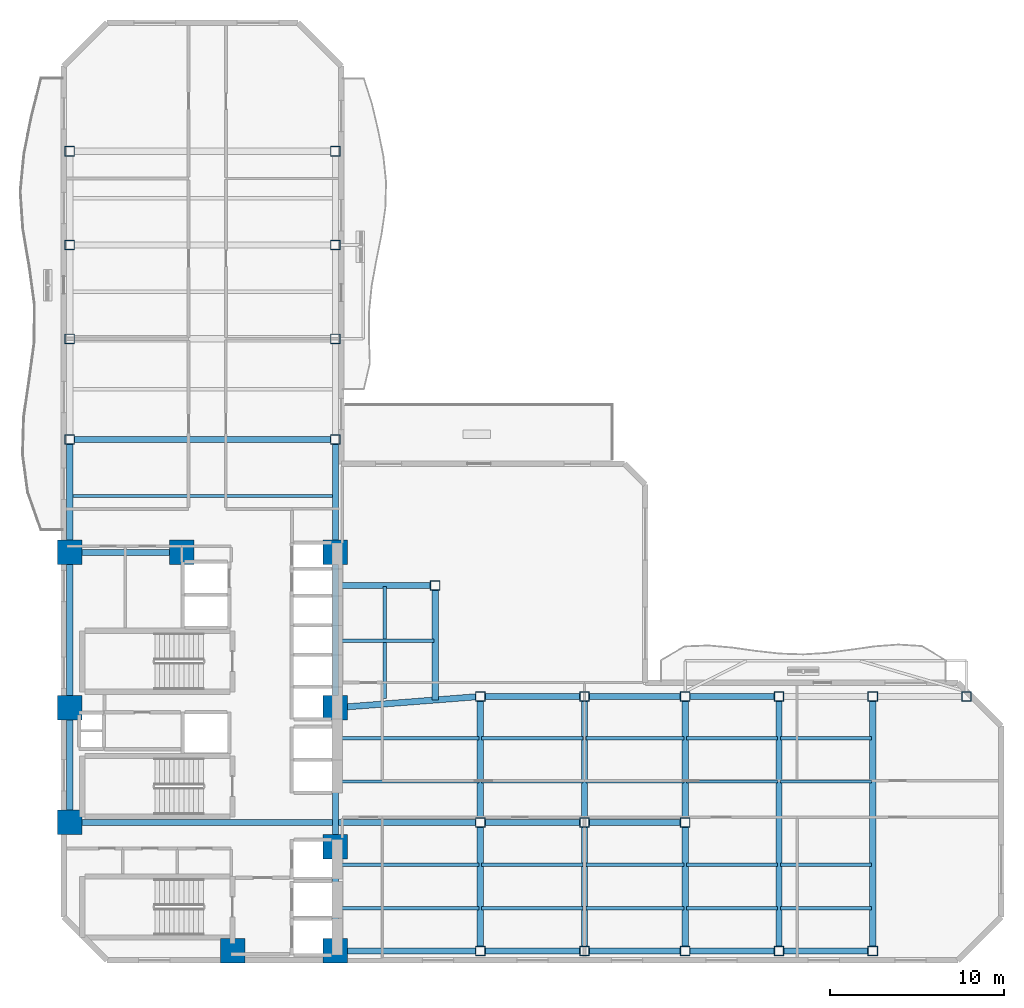
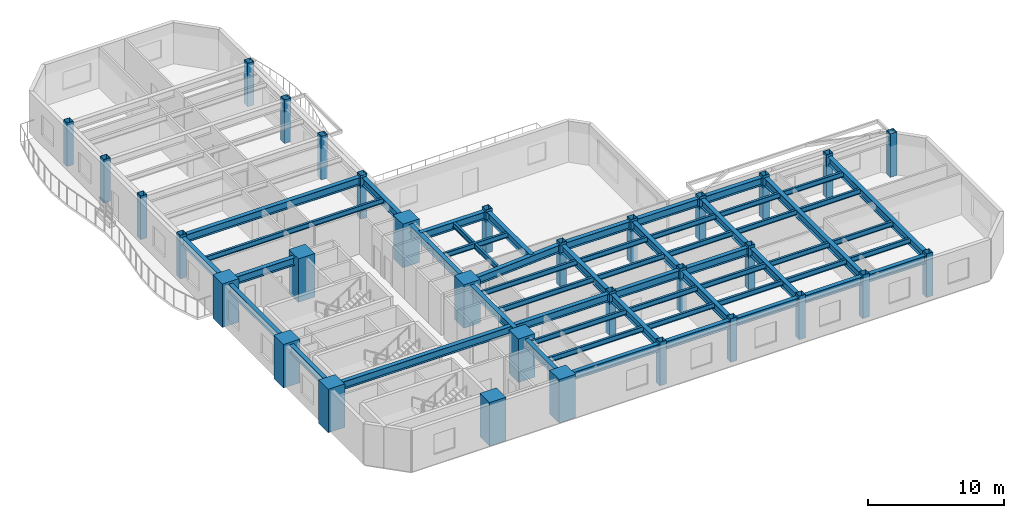
# One storey, part 1 of 10: 54 beams, 32 columns.
"""IFC4 building model written with IfcOpenShell, lengths in metres."""

from ifc_helpers import new_model, si_unit, direction, frame, origin, origin_2d, place, context, subcontext, project, spatial, rectangle, hollow_rectangle, i_section, extrude, material, material_profile, profile_set, type_object, element, save


model = new_model("IFC4")

# Units and contexts
model_context = context("Model", 3, precision=1e-05, world=origin(), true_north=direction((0.0, 1.0)))
body_context = subcontext(model_context, "Body", "Model", "MODEL_VIEW")
ifc_project = project(units=[si_unit("LENGTHUNIT", "METRE"), si_unit("AREAUNIT", "SQUARE_METRE"), si_unit("VOLUMEUNIT", "CUBIC_METRE"), si_unit("PLANEANGLEUNIT", "RADIAN"), si_unit("MASSUNIT", "GRAM", prefix="KILO")], contexts=[model_context])

# Site, building, storey
site_placement = place(None, origin())
site = spatial("IfcSite", under=ifc_project, at=site_placement, CompositionType="ELEMENT")
building_placement = place(site_placement, origin())
building = spatial("IfcBuilding", under=site, at=building_placement, Name="Mawjaban Terraces University", CompositionType="ELEMENT")
storey_placement = place(building_placement, frame((0.0, 0.0, 31.0)))
storey = spatial("IfcBuildingStorey", under=building, at=storey_placement, Name="L06", CompositionType="ELEMENT", Elevation=31.0)

# Columns
ifc_material_1 = material(Name="Concrete C70/85", Category="concrete")
ifc_material_profile_1 = material_profile(ifc_material_1, rectangle(XDim=1.39990234375, YDim=1.39990234375, at=origin_2d()), Name="RC1400X1400")
ifc_profile_set_1 = profile_set([ifc_material_profile_1], Name="Concrete C70/85")
column_type_1 = type_object("IfcColumnType", Name="Col_RC1400X1400", PredefinedType="COLUMN", material=ifc_profile_set_1)
for number, where, z_axis, x_axis, name in (
    (1, (31.75, 0.550048828125, 0.0), (0.0, 0.0, 1.0), (1.0, 0.0, 0.0), "L06 Column CC2"),
    (2, (37.64990234375, 0.550048828125, 0.0), (0.0, 0.0, 1.0), (1.0, 0.0, 0.0), "L06 Column CC3"),
    (3, (22.35009765625, 7.949951171875, 0.0), (0.0, 0.0, 1.0), (1.0, 0.0, 0.0), "L06 Column CC4"),
    (4, (37.64990234375, 6.550048828125, 0.0), (0.0, 0.0, 1.0), (1.0, 0.0, 0.0), "L06 Column CC5"),
    (5, (22.35009765625, 14.550048828125, 0.0), (0.0, 0.0, 1.0), (1.0, 0.0, 0.0), "L06 Column CC6"),
    (6, (37.64990234375, 14.550048828125, 0.0), (0.0, 0.0, 1.0), (1.0, 0.0, 0.0), "L06 Column CC7"),
    (7, (22.35009765625, 23.5, 0.0), (0.0, 0.0, 1.0), (1.0, 0.0, 0.0), "L06 Column CC8"),
    (8, (28.800048828125, 23.5, 0.0), (0.0, 0.0, 1.0), (1.0, 0.0, 0.0), "L06 Column CC9"),
    (9, (37.64990234375, 23.5, 0.0), (0.0, 0.0, 1.0), (1.0, 0.0, 0.0), "L06 Column CC10"),
):
    element("IfcColumn", number, at=place(storey_placement, frame(where, z_axis=z_axis, x_axis=x_axis)), inside=storey, type_object=column_type_1, Name=name, PredefinedType="COLUMN", context=body_context, shape_type="SweptSolid", body=[
        extrude(rectangle(XDim=1.39990234375, YDim=1.39990234375, at=origin_2d()), origin(), (0.0, 0.0, 1.0), 3.89990234375),
    ])
ifc_material_2 = material(Name="Steel EN 10210-1 S355J2H", Category="steel")
ifc_material_profile_2 = material_profile(ifc_material_2, hollow_rectangle(XDim=0.550048828125, YDim=0.550048828125, WallThickness=0.02490234375, at=origin_2d()), Name="SHS550X550X25")
ifc_profile_set_2 = profile_set([ifc_material_profile_2], Name="Steel EN 10210-1 S355J2H")
column_type_2 = type_object("IfcColumnType", Name="Col_SHS550X550X25", PredefinedType="COLUMN", material=ifc_profile_set_2)
for number, where, z_axis, x_axis, name in (
    (10, (46.0, 0.550048828125, 0.0), (0.0, 0.0, 1.0), (1.0, 0.0, 0.0), "L06 Column TE-460-005"),
    (11, (46.0, 7.949951171875, 0.0), (0.0, 0.0, 1.0), (1.0, 0.0, 0.0), "L06 Column TE-460-080"),
    (12, (46.0, 15.199951171875, 0.0), (0.0, 0.0, 1.0), (1.0, 0.0, 0.0), "L06 Column TE-460-152"),
    (13, (52.0, 0.550048828125, 0.0), (0.0, 0.0, 1.0), (1.0, 0.0, 0.0), "L06 Column TE-520-005"),
    (14, (52.0, 7.949951171875, 0.0), (0.0, 0.0, 1.0), (1.0, 0.0, 0.0), "L06 Column TE-520-080"),
    (15, (52.0, 15.199951171875, 0.0), (0.0, 0.0, 1.0), (1.0, 0.0, 0.0), "L06 Column TE-520-152"),
    (16, (57.800048828125, 0.550048828125, 0.0), (0.0, 0.0, 1.0), (1.0, 0.0, 0.0), "L06 Column TE-578-005"),
    (17, (57.800048828125, 7.949951171875, 0.0), (0.0, 0.0, 1.0), (1.0, 0.0, 0.0), "L06 Column TE-578-080"),
    (18, (57.800048828125, 15.199951171875, 0.0), (0.0, 0.0, 1.0), (1.0, 0.0, 0.0), "L06 Column TE-578-152"),
    (19, (63.199951171875, 0.550048828125, 0.0), (0.0, 0.0, 1.0), (1.0, 0.0, 0.0), "L06 Column TE-632-005"),
    (20, (63.199951171875, 15.199951171875, 0.0), (0.0, 0.0, 1.0), (1.0, 0.0, 0.0), "L06 Column TE-632-152"),
    (21, (68.60009765625, 0.550048828125, 0.0), (0.0, 0.0, 1.0), (1.0, 0.0, 0.0), "L06 Column TE-686-005"),
    (22, (68.60009765625, 15.199951171875, 0.0), (0.0, 0.0, 1.0), (1.0, 0.0, 0.0), "L06 Column TE-686-152"),
    (23, (74.0, 15.199951171875, 0.0), (0.0, 0.0, 1.0), (1.0, 0.0, 0.0), "L06 Column TE-740-152"),
    (24, (22.35009765625, 30.0, 0.0), (0.0, 0.0, 1.0), (1.0, 0.0, 0.0), "L06 Column TN-223-300"),
    (25, (37.64990234375, 30.0, 0.0), (0.0, 0.0, 1.0), (1.0, 0.0, 0.0), "L06 Column TN-376-300"),
    (26, (22.35009765625, 35.800048828125, 0.0), (0.0, 0.0, 1.0), (1.0, 0.0, 0.0), "L06 Column TN-223-358"),
    (27, (37.64990234375, 35.800048828125, 0.0), (0.0, 0.0, 1.0), (1.0, 0.0, 0.0), "L06 Column TN-376-358"),
    (28, (22.35009765625, 41.199951171875, 0.0), (0.0, 0.0, 1.0), (1.0, 0.0, 0.0), "L06 Column TN-223-412"),
    (29, (37.64990234375, 41.199951171875, 0.0), (0.0, 0.0, 1.0), (1.0, 0.0, 0.0), "L06 Column TN-376-412"),
    (30, (22.35009765625, 46.60009765625, 0.0), (0.0, 0.0, 1.0), (1.0, 0.0, 0.0), "L06 Column TN-223-466"),
    (31, (37.64990234375, 46.60009765625, 0.0), (0.0, 0.0, 1.0), (1.0, 0.0, 0.0), "L06 Column TN-376-466"),
    (32, (43.39990234375, 21.60009765625, 0.0), (0.0, 0.0, 1.0), (1.0, 0.0, 0.0), "L06 Column TS-434-216"),
):
    element("IfcColumn", number, at=place(storey_placement, frame(where, z_axis=z_axis, x_axis=x_axis)), inside=storey, type_object=column_type_2, Name=name, PredefinedType="COLUMN", context=body_context, shape_type="SweptSolid", body=[
        extrude(hollow_rectangle(XDim=0.550048828125, YDim=0.550048828125, WallThickness=0.02490234375, at=origin_2d()), origin(), (0.0, 0.0, 1.0), 3.89990234375),
    ])

# Beams
ifc_material_3 = material(Name="Steel ASTM A572 Grade 50", Category="steel")
ifc_material_profile_3 = material_profile(ifc_material_3, i_section(OverallWidth=0.35498046875, OverallDepth=0.695068359375, WebThickness=0.015380859375, FlangeThickness=0.02490234375, at=origin_2d()), Name="W690X217")
ifc_profile_set_3 = profile_set([ifc_material_profile_3], Name="Steel ASTM A572 Grade 50")
beam_type_1 = type_object("IfcBeamType", Name="Beam_B_W690X217", PredefinedType="BEAM", material=ifc_profile_set_3)
beam_1_placement = place(storey_placement, frame((38.35009765625, 0.550048828125, 3.343017578125), z_axis=(1.0, 0.0, 0.0), x_axis=(0.0, 1.0, 0.0)))
element("IfcBeam", 33, at=beam_1_placement, inside=storey, type_object=beam_type_1, Name="L06 Beam BM-L06-EW-01", PredefinedType="BEAM", context=body_context, shape_type="SweptSolid", body=[
    extrude(i_section(OverallWidth=0.35498046875, OverallDepth=0.695068359375, WebThickness=0.015380859375, FlangeThickness=0.02490234375, at=origin_2d()), origin(), (0.0, 0.0, 1.0), 7.375),
])
beam_2_placement = place(storey_placement, frame((46.27490234375, 0.550048828125, 3.343017578125), z_axis=(1.0, 0.0, 0.0), x_axis=(0.0, 1.0, 0.0)))
element("IfcBeam", 34, at=beam_2_placement, inside=storey, type_object=beam_type_1, Name="L06 Beam BM-L06-EW-02", PredefinedType="BEAM", context=body_context, shape_type="SweptSolid", body=[
    extrude(i_section(OverallWidth=0.35498046875, OverallDepth=0.695068359375, WebThickness=0.015380859375, FlangeThickness=0.02490234375, at=origin_2d()), origin(), (0.0, 0.0, 1.0), 5.4501953125),
])
beam_3_placement = place(storey_placement, frame((52.27490234375, 0.550048828125, 3.343017578125), z_axis=(1.0, 0.0, 0.0), x_axis=(0.0, 1.0, 0.0)))
element("IfcBeam", 35, at=beam_3_placement, inside=storey, type_object=beam_type_1, Name="L06 Beam BM-L06-EW-03", PredefinedType="BEAM", context=body_context, shape_type="SweptSolid", body=[
    extrude(i_section(OverallWidth=0.35498046875, OverallDepth=0.695068359375, WebThickness=0.015380859375, FlangeThickness=0.02490234375, at=origin_2d()), origin(), (0.0, 0.0, 1.0), 5.25),
])
beam_4_placement = place(storey_placement, frame((58.074951171875, 0.550048828125, 3.343017578125), z_axis=(1.0, 0.0, 0.0), x_axis=(0.0, 1.0, 0.0)))
element("IfcBeam", 36, at=beam_4_placement, inside=storey, type_object=beam_type_1, Name="L06 Beam BM-L06-EW-04", PredefinedType="BEAM", context=body_context, shape_type="SweptSolid", body=[
    extrude(i_section(OverallWidth=0.35498046875, OverallDepth=0.695068359375, WebThickness=0.015380859375, FlangeThickness=0.02490234375, at=origin_2d()), origin(), (0.0, 0.0, 1.0), 4.85009765625),
])
beam_5_placement = place(storey_placement, frame((63.47509765625, 0.550048828125, 3.343017578125), z_axis=(1.0, 0.0, 0.0), x_axis=(0.0, 1.0, 0.0)))
element("IfcBeam", 37, at=beam_5_placement, inside=storey, type_object=beam_type_1, Name="L06 Beam BM-L06-EW-05", PredefinedType="BEAM", context=body_context, shape_type="SweptSolid", body=[
    extrude(i_section(OverallWidth=0.35498046875, OverallDepth=0.695068359375, WebThickness=0.015380859375, FlangeThickness=0.02490234375, at=origin_2d()), origin(), (0.0, 0.0, 1.0), 4.849853515625),
])
beam_6_placement = place(storey_placement, frame((23.050048828125, 7.949951171875, 3.343017578125), z_axis=(1.0, 0.0, 0.0), x_axis=(0.0, 1.0, 0.0)))
element("IfcBeam", 38, at=beam_6_placement, inside=storey, type_object=beam_type_1, Name="L06 Beam BM-L06-EW-06", PredefinedType="BEAM", context=body_context, shape_type="SweptSolid", body=[
    extrude(i_section(OverallWidth=0.35498046875, OverallDepth=0.695068359375, WebThickness=0.015380859375, FlangeThickness=0.02490234375, at=origin_2d()), origin(), (0.0, 0.0, 1.0), 22.675048828125),
])
beam_7_placement = place(storey_placement, frame((46.27490234375, 7.949951171875, 3.343017578125), z_axis=(1.0, 0.0, 0.0), x_axis=(0.0, 1.0, 0.0)))
element("IfcBeam", 39, at=beam_7_placement, inside=storey, type_object=beam_type_1, Name="L06 Beam BM-L06-EW-07", PredefinedType="BEAM", context=body_context, shape_type="SweptSolid", body=[
    extrude(i_section(OverallWidth=0.35498046875, OverallDepth=0.695068359375, WebThickness=0.015380859375, FlangeThickness=0.02490234375, at=origin_2d()), origin(), (0.0, 0.0, 1.0), 5.4501953125),
])
beam_8_placement = place(storey_placement, frame((52.27490234375, 7.949951171875, 3.343017578125), z_axis=(1.0, 0.0, 0.0), x_axis=(0.0, 1.0, 0.0)))
element("IfcBeam", 40, at=beam_8_placement, inside=storey, type_object=beam_type_1, Name="L06 Beam BM-L06-EW-08", PredefinedType="BEAM", context=body_context, shape_type="SweptSolid", body=[
    extrude(i_section(OverallWidth=0.35498046875, OverallDepth=0.695068359375, WebThickness=0.015380859375, FlangeThickness=0.02490234375, at=origin_2d()), origin(), (0.0, 0.0, 1.0), 5.25),
])
beam_9_placement = place(storey_placement, frame((46.27490234375, 15.199951171875, 3.343017578125), z_axis=(1.0, 0.0, 0.0), x_axis=(0.0, 1.0, 0.0)))
element("IfcBeam", 41, at=beam_9_placement, inside=storey, type_object=beam_type_1, Name="L06 Beam BM-L06-EW-09", PredefinedType="BEAM", context=body_context, shape_type="SweptSolid", body=[
    extrude(i_section(OverallWidth=0.35498046875, OverallDepth=0.695068359375, WebThickness=0.015380859375, FlangeThickness=0.02490234375, at=origin_2d()), origin(), (0.0, 0.0, 1.0), 5.4501953125),
])
beam_10_placement = place(storey_placement, frame((52.27490234375, 15.199951171875, 3.343017578125), z_axis=(1.0, 0.0, 0.0), x_axis=(0.0, 1.0, 0.0)))
element("IfcBeam", 42, at=beam_10_placement, inside=storey, type_object=beam_type_1, Name="L06 Beam BM-L06-EW-10", PredefinedType="BEAM", context=body_context, shape_type="SweptSolid", body=[
    extrude(i_section(OverallWidth=0.35498046875, OverallDepth=0.695068359375, WebThickness=0.015380859375, FlangeThickness=0.02490234375, at=origin_2d()), origin(), (0.0, 0.0, 1.0), 5.25),
])
beam_11_placement = place(storey_placement, frame((58.074951171875, 15.199951171875, 3.343017578125), z_axis=(1.0, 0.0, 0.0), x_axis=(0.0, 1.0, 0.0)))
element("IfcBeam", 43, at=beam_11_placement, inside=storey, type_object=beam_type_1, Name="L06 Beam BM-L06-EW-11", PredefinedType="BEAM", context=body_context, shape_type="SweptSolid", body=[
    extrude(i_section(OverallWidth=0.35498046875, OverallDepth=0.695068359375, WebThickness=0.015380859375, FlangeThickness=0.02490234375, at=origin_2d()), origin(), (0.0, 0.0, 1.0), 4.85009765625),
])
beam_12_placement = place(storey_placement, frame((23.050048828125, 23.5, 3.343017578125), z_axis=(1.0, 0.0, 0.0), x_axis=(0.0, 1.0, 0.0)))
element("IfcBeam", 44, at=beam_12_placement, inside=storey, type_object=beam_type_1, Name="L06 Beam BM-L06-EW-14", PredefinedType="BEAM", context=body_context, shape_type="SweptSolid", body=[
    extrude(i_section(OverallWidth=0.35498046875, OverallDepth=0.695068359375, WebThickness=0.015380859375, FlangeThickness=0.02490234375, at=origin_2d()), origin(), (0.0, 0.0, 1.0), 5.050048828125),
])
beam_13_placement = place(storey_placement, frame((22.625, 30.0, 3.343017578125), z_axis=(1.0, 0.0, 0.0), x_axis=(0.0, 1.0, 0.0)))
element("IfcBeam", 45, at=beam_13_placement, inside=storey, type_object=beam_type_1, Name="L06 Beam BM-L06-EW-15", PredefinedType="BEAM", context=body_context, shape_type="SweptSolid", body=[
    extrude(i_section(OverallWidth=0.35498046875, OverallDepth=0.695068359375, WebThickness=0.015380859375, FlangeThickness=0.02490234375, at=origin_2d()), origin(), (0.0, 0.0, 1.0), 14.75),
])
beam_14_placement = place(storey_placement, frame((22.35009765625, 8.64990234375, 3.343017578125), z_axis=(0.0, 1.0, 0.0), x_axis=(-1.0, 0.0, 0.0)))
element("IfcBeam", 46, at=beam_14_placement, inside=storey, type_object=beam_type_1, Name="L06 Beam BM-L06-NS-01", PredefinedType="BEAM", context=body_context, shape_type="SweptSolid", body=[
    extrude(i_section(OverallWidth=0.35498046875, OverallDepth=0.695068359375, WebThickness=0.015380859375, FlangeThickness=0.02490234375, at=origin_2d()), origin(), (0.0, 0.0, 1.0), 5.2001953125),
])
beam_15_placement = place(storey_placement, frame((22.35009765625, 15.25, 3.343017578125), z_axis=(0.0, 1.0, 0.0), x_axis=(-1.0, 0.0, 0.0)))
element("IfcBeam", 47, at=beam_15_placement, inside=storey, type_object=beam_type_1, Name="L06 Beam BM-L06-NS-02", PredefinedType="BEAM", context=body_context, shape_type="SweptSolid", body=[
    extrude(i_section(OverallWidth=0.35498046875, OverallDepth=0.695068359375, WebThickness=0.015380859375, FlangeThickness=0.02490234375, at=origin_2d()), origin(), (0.0, 0.0, 1.0), 7.550048828125),
])
beam_16_placement = place(storey_placement, frame((22.35009765625, 24.199951171875, 3.343017578125), z_axis=(0.0, 1.0, 0.0), x_axis=(-1.0, 0.0, 0.0)))
element("IfcBeam", 48, at=beam_16_placement, inside=storey, type_object=beam_type_1, Name="L06 Beam BM-L06-NS-03", PredefinedType="BEAM", context=body_context, shape_type="SweptSolid", body=[
    extrude(i_section(OverallWidth=0.35498046875, OverallDepth=0.695068359375, WebThickness=0.015380859375, FlangeThickness=0.02490234375, at=origin_2d()), origin(), (0.0, 0.0, 1.0), 5.525146484375),
])
beam_17_placement = place(storey_placement, frame((37.64990234375, 1.25, 3.343017578125), z_axis=(0.0, 1.0, 0.0), x_axis=(-1.0, 0.0, 0.0)))
element("IfcBeam", 49, at=beam_17_placement, inside=storey, type_object=beam_type_1, Name="L06 Beam BM-L06-NS-07", PredefinedType="BEAM", context=body_context, shape_type="SweptSolid", body=[
    extrude(i_section(OverallWidth=0.35498046875, OverallDepth=0.695068359375, WebThickness=0.015380859375, FlangeThickness=0.02490234375, at=origin_2d()), origin(), (0.0, 0.0, 1.0), 4.60009765625),
])
beam_18_placement = place(storey_placement, frame((37.64990234375, 7.25, 3.343017578125), z_axis=(0.0, 1.0, 0.0), x_axis=(-1.0, 0.0, 0.0)))
element("IfcBeam", 50, at=beam_18_placement, inside=storey, type_object=beam_type_1, Name="L06 Beam BM-L06-NS-08", PredefinedType="BEAM", context=body_context, shape_type="SweptSolid", body=[
    extrude(i_section(OverallWidth=0.35498046875, OverallDepth=0.695068359375, WebThickness=0.015380859375, FlangeThickness=0.02490234375, at=origin_2d()), origin(), (0.0, 0.0, 1.0), 6.60009765625),
])
beam_19_placement = place(storey_placement, frame((37.64990234375, 15.25, 3.343017578125), z_axis=(0.0, 1.0, 0.0), x_axis=(-1.0, 0.0, 0.0)))
element("IfcBeam", 51, at=beam_19_placement, inside=storey, type_object=beam_type_1, Name="L06 Beam BM-L06-NS-09", PredefinedType="BEAM", context=body_context, shape_type="SweptSolid", body=[
    extrude(i_section(OverallWidth=0.35498046875, OverallDepth=0.695068359375, WebThickness=0.015380859375, FlangeThickness=0.02490234375, at=origin_2d()), origin(), (0.0, 0.0, 1.0), 7.550048828125),
])
beam_20_placement = place(storey_placement, frame((37.64990234375, 24.199951171875, 3.343017578125), z_axis=(0.0, 1.0, 0.0), x_axis=(-1.0, 0.0, 0.0)))
element("IfcBeam", 52, at=beam_20_placement, inside=storey, type_object=beam_type_1, Name="L06 Beam BM-L06-NS-10", PredefinedType="BEAM", context=body_context, shape_type="SweptSolid", body=[
    extrude(i_section(OverallWidth=0.35498046875, OverallDepth=0.695068359375, WebThickness=0.015380859375, FlangeThickness=0.02490234375, at=origin_2d()), origin(), (0.0, 0.0, 1.0), 5.525146484375),
])
beam_21_placement = place(storey_placement, frame((46.0, 0.824951171875, 3.343017578125), z_axis=(0.0, 1.0, 0.0), x_axis=(-1.0, 0.0, 0.0)))
element("IfcBeam", 53, at=beam_21_placement, inside=storey, type_object=beam_type_1, Name="L06 Beam BM-L06-NS-14", PredefinedType="BEAM", context=body_context, shape_type="SweptSolid", body=[
    extrude(i_section(OverallWidth=0.35498046875, OverallDepth=0.695068359375, WebThickness=0.015380859375, FlangeThickness=0.02490234375, at=origin_2d()), origin(), (0.0, 0.0, 1.0), 6.85009765625),
])
beam_22_placement = place(storey_placement, frame((46.0, 8.22509765625, 3.343017578125), z_axis=(0.0, 1.0, 0.0), x_axis=(-1.0, 0.0, 0.0)))
element("IfcBeam", 54, at=beam_22_placement, inside=storey, type_object=beam_type_1, Name="L06 Beam BM-L06-NS-15", PredefinedType="BEAM", context=body_context, shape_type="SweptSolid", body=[
    extrude(i_section(OverallWidth=0.35498046875, OverallDepth=0.695068359375, WebThickness=0.015380859375, FlangeThickness=0.02490234375, at=origin_2d()), origin(), (0.0, 0.0, 1.0), 6.699951171875),
])
beam_23_placement = place(storey_placement, frame((52.0, 0.824951171875, 3.343017578125), z_axis=(0.0, 1.0, 0.0), x_axis=(-1.0, 0.0, 0.0)))
element("IfcBeam", 55, at=beam_23_placement, inside=storey, type_object=beam_type_1, Name="L06 Beam BM-L06-NS-16", PredefinedType="BEAM", context=body_context, shape_type="SweptSolid", body=[
    extrude(i_section(OverallWidth=0.35498046875, OverallDepth=0.695068359375, WebThickness=0.015380859375, FlangeThickness=0.02490234375, at=origin_2d()), origin(), (0.0, 0.0, 1.0), 6.85009765625),
])
beam_24_placement = place(storey_placement, frame((52.0, 8.22509765625, 3.343017578125), z_axis=(0.0, 1.0, 0.0), x_axis=(-1.0, 0.0, 0.0)))
element("IfcBeam", 56, at=beam_24_placement, inside=storey, type_object=beam_type_1, Name="L06 Beam BM-L06-NS-17", PredefinedType="BEAM", context=body_context, shape_type="SweptSolid", body=[
    extrude(i_section(OverallWidth=0.35498046875, OverallDepth=0.695068359375, WebThickness=0.015380859375, FlangeThickness=0.02490234375, at=origin_2d()), origin(), (0.0, 0.0, 1.0), 6.699951171875),
])
beam_25_placement = place(storey_placement, frame((57.800048828125, 0.824951171875, 3.343017578125), z_axis=(0.0, 1.0, 0.0), x_axis=(-1.0, 0.0, 0.0)))
element("IfcBeam", 57, at=beam_25_placement, inside=storey, type_object=beam_type_1, Name="L06 Beam BM-L06-NS-18", PredefinedType="BEAM", context=body_context, shape_type="SweptSolid", body=[
    extrude(i_section(OverallWidth=0.35498046875, OverallDepth=0.695068359375, WebThickness=0.015380859375, FlangeThickness=0.02490234375, at=origin_2d()), origin(), (0.0, 0.0, 1.0), 6.85009765625),
])
beam_26_placement = place(storey_placement, frame((57.800048828125, 8.22509765625, 3.343017578125), z_axis=(0.0, 1.0, 0.0), x_axis=(-1.0, 0.0, 0.0)))
element("IfcBeam", 58, at=beam_26_placement, inside=storey, type_object=beam_type_1, Name="L06 Beam BM-L06-NS-19", PredefinedType="BEAM", context=body_context, shape_type="SweptSolid", body=[
    extrude(i_section(OverallWidth=0.35498046875, OverallDepth=0.695068359375, WebThickness=0.015380859375, FlangeThickness=0.02490234375, at=origin_2d()), origin(), (0.0, 0.0, 1.0), 6.699951171875),
])
for number, where, z_axis, x_axis, name in (
    (59, (63.199951171875, 0.824951171875, 3.343017578125), (0.0, 1.0, 0.0), (-1.0, 0.0, 0.0), "L06 Beam BM-L06-NS-20"),
    (60, (68.60009765625, 0.824951171875, 3.343017578125), (0.0, 1.0, 0.0), (-1.0, 0.0, 0.0), "L06 Beam BM-L06-NS-21"),
):
    element("IfcBeam", number, at=place(storey_placement, frame(where, z_axis=z_axis, x_axis=x_axis)), inside=storey, type_object=beam_type_1, Name=name, PredefinedType="BEAM", context=body_context, shape_type="SweptSolid", body=[
        extrude(i_section(OverallWidth=0.35498046875, OverallDepth=0.695068359375, WebThickness=0.015380859375, FlangeThickness=0.02490234375, at=origin_2d()), origin(), (0.0, 0.0, 1.0), 14.10009765625),
    ])
beam_27_placement = place(storey_placement, frame((38.347900390625, 14.60400390625, 3.343017578125), z_axis=(0.996977531908, 0.077690416851, 0.0), x_axis=(-0.077690416851, 0.996977531908, 0.0)))
element("IfcBeam", 61, at=beam_27_placement, inside=storey, type_object=beam_type_1, Name="L06 Beam BM-L06-CTIE", PredefinedType="BEAM", context=body_context, shape_type="SweptSolid", body=[
    extrude(i_section(OverallWidth=0.35498046875, OverallDepth=0.695068359375, WebThickness=0.015380859375, FlangeThickness=0.02490234375, at=origin_2d()), origin(), (0.0, 0.0, 1.0), 7.400634765625),
])
beam_28_placement = place(storey_placement, frame((37.679931640625, 21.60009765625, 3.343017578125), z_axis=(1.0, 0.0, 0.0), x_axis=(0.0, 1.0, 0.0)))
element("IfcBeam", 62, at=beam_28_placement, inside=storey, type_object=beam_type_1, Name="L06 Spur Tie Girder West", PredefinedType="BEAM", context=body_context, shape_type="SweptSolid", body=[
    extrude(i_section(OverallWidth=0.35498046875, OverallDepth=0.695068359375, WebThickness=0.015380859375, FlangeThickness=0.02490234375, at=origin_2d()), origin(), (0.0, 0.0, 1.0), 5.445068359375),
])
beam_29_placement = place(storey_placement, frame((43.39990234375, 15.0, 3.343017578125), z_axis=(0.0, 1.0, 0.0), x_axis=(-1.0, 0.0, 0.0)))
element("IfcBeam", 63, at=beam_29_placement, inside=storey, type_object=beam_type_1, Name="L06 Spur Tie Girder South", PredefinedType="BEAM", context=body_context, shape_type="SweptSolid", body=[
    extrude(i_section(OverallWidth=0.35498046875, OverallDepth=0.695068359375, WebThickness=0.015380859375, FlangeThickness=0.02490234375, at=origin_2d()), origin(), (0.0, 0.0, 1.0), 6.324951171875),
])
ifc_material_profile_4 = material_profile(ifc_material_3, i_section(OverallWidth=0.19189453125, OverallDepth=0.462890625, WebThickness=0.010498046875, FlangeThickness=0.017578125, at=origin_2d()), Name="W460X89")
ifc_profile_set_4 = profile_set([ifc_material_profile_4], Name="Steel ASTM A572 Grade 50")
beam_type_2 = type_object("IfcBeamType", Name="Beam_J_W460X89", PredefinedType="JOIST", material=ifc_profile_set_4)
beam_30_placement = place(storey_placement, frame((37.72998046875, 3.0, 3.458984375), z_axis=(1.0, 0.0, 0.0), x_axis=(0.0, 1.0, 0.0)))
element("IfcBeam", 64, at=beam_30_placement, inside=storey, type_object=beam_type_2, Name="L06 Composite Joist JST-L06-01", PredefinedType="JOIST", context=body_context, shape_type="SweptSolid", body=[
    extrude(i_section(OverallWidth=0.19189453125, OverallDepth=0.462890625, WebThickness=0.010498046875, FlangeThickness=0.017578125, at=origin_2d()), origin(), (0.0, 0.0, 1.0), 8.18994140625),
])
beam_31_placement = place(storey_placement, frame((46.080078125, 3.0, 3.458984375), z_axis=(1.0, 0.0, 0.0), x_axis=(0.0, 1.0, 0.0)))
element("IfcBeam", 65, at=beam_31_placement, inside=storey, type_object=beam_type_2, Name="L06 Composite Joist JST-L06-02", PredefinedType="JOIST", context=body_context, shape_type="SweptSolid", body=[
    extrude(i_section(OverallWidth=0.19189453125, OverallDepth=0.462890625, WebThickness=0.010498046875, FlangeThickness=0.017578125, at=origin_2d()), origin(), (0.0, 0.0, 1.0), 5.83984375),
])
beam_32_placement = place(storey_placement, frame((52.080078125, 3.0, 3.458984375), z_axis=(1.0, 0.0, 0.0), x_axis=(0.0, 1.0, 0.0)))
element("IfcBeam", 66, at=beam_32_placement, inside=storey, type_object=beam_type_2, Name="L06 Composite Joist JST-L06-03", PredefinedType="JOIST", context=body_context, shape_type="SweptSolid", body=[
    extrude(i_section(OverallWidth=0.19189453125, OverallDepth=0.462890625, WebThickness=0.010498046875, FlangeThickness=0.017578125, at=origin_2d()), origin(), (0.0, 0.0, 1.0), 5.639892578125),
])
beam_33_placement = place(storey_placement, frame((57.8798828125, 3.0, 3.458984375), z_axis=(1.0, 0.0, 0.0), x_axis=(0.0, 1.0, 0.0)))
element("IfcBeam", 67, at=beam_33_placement, inside=storey, type_object=beam_type_2, Name="L06 Composite Joist JST-L06-04", PredefinedType="JOIST", context=body_context, shape_type="SweptSolid", body=[
    extrude(i_section(OverallWidth=0.19189453125, OverallDepth=0.462890625, WebThickness=0.010498046875, FlangeThickness=0.017578125, at=origin_2d()), origin(), (0.0, 0.0, 1.0), 5.240234375),
])
beam_34_placement = place(storey_placement, frame((63.280029296875, 3.0, 3.458984375), z_axis=(1.0, 0.0, 0.0), x_axis=(0.0, 1.0, 0.0)))
element("IfcBeam", 68, at=beam_34_placement, inside=storey, type_object=beam_type_2, Name="L06 Composite Joist JST-L06-05", PredefinedType="JOIST", context=body_context, shape_type="SweptSolid", body=[
    extrude(i_section(OverallWidth=0.19189453125, OverallDepth=0.462890625, WebThickness=0.010498046875, FlangeThickness=0.017578125, at=origin_2d()), origin(), (0.0, 0.0, 1.0), 5.239990234375),
])
beam_35_placement = place(storey_placement, frame((37.72998046875, 5.5, 3.458984375), z_axis=(1.0, 0.0, 0.0), x_axis=(0.0, 1.0, 0.0)))
element("IfcBeam", 69, at=beam_35_placement, inside=storey, type_object=beam_type_2, Name="L06 Composite Joist JST-L06-06", PredefinedType="JOIST", context=body_context, shape_type="SweptSolid", body=[
    extrude(i_section(OverallWidth=0.19189453125, OverallDepth=0.462890625, WebThickness=0.010498046875, FlangeThickness=0.017578125, at=origin_2d()), origin(), (0.0, 0.0, 1.0), 8.18994140625),
])
beam_36_placement = place(storey_placement, frame((46.080078125, 5.5, 3.458984375), z_axis=(1.0, 0.0, 0.0), x_axis=(0.0, 1.0, 0.0)))
element("IfcBeam", 70, at=beam_36_placement, inside=storey, type_object=beam_type_2, Name="L06 Composite Joist JST-L06-07", PredefinedType="JOIST", context=body_context, shape_type="SweptSolid", body=[
    extrude(i_section(OverallWidth=0.19189453125, OverallDepth=0.462890625, WebThickness=0.010498046875, FlangeThickness=0.017578125, at=origin_2d()), origin(), (0.0, 0.0, 1.0), 5.83984375),
])
beam_37_placement = place(storey_placement, frame((52.080078125, 5.5, 3.458984375), z_axis=(1.0, 0.0, 0.0), x_axis=(0.0, 1.0, 0.0)))
element("IfcBeam", 71, at=beam_37_placement, inside=storey, type_object=beam_type_2, Name="L06 Composite Joist JST-L06-08", PredefinedType="JOIST", context=body_context, shape_type="SweptSolid", body=[
    extrude(i_section(OverallWidth=0.19189453125, OverallDepth=0.462890625, WebThickness=0.010498046875, FlangeThickness=0.017578125, at=origin_2d()), origin(), (0.0, 0.0, 1.0), 5.639892578125),
])
beam_38_placement = place(storey_placement, frame((57.8798828125, 5.5, 3.458984375), z_axis=(1.0, 0.0, 0.0), x_axis=(0.0, 1.0, 0.0)))
element("IfcBeam", 72, at=beam_38_placement, inside=storey, type_object=beam_type_2, Name="L06 Composite Joist JST-L06-09", PredefinedType="JOIST", context=body_context, shape_type="SweptSolid", body=[
    extrude(i_section(OverallWidth=0.19189453125, OverallDepth=0.462890625, WebThickness=0.010498046875, FlangeThickness=0.017578125, at=origin_2d()), origin(), (0.0, 0.0, 1.0), 5.240234375),
])
beam_39_placement = place(storey_placement, frame((63.280029296875, 5.5, 3.458984375), z_axis=(1.0, 0.0, 0.0), x_axis=(0.0, 1.0, 0.0)))
element("IfcBeam", 73, at=beam_39_placement, inside=storey, type_object=beam_type_2, Name="L06 Composite Joist JST-L06-10", PredefinedType="JOIST", context=body_context, shape_type="SweptSolid", body=[
    extrude(i_section(OverallWidth=0.19189453125, OverallDepth=0.462890625, WebThickness=0.010498046875, FlangeThickness=0.017578125, at=origin_2d()), origin(), (0.0, 0.0, 1.0), 5.239990234375),
])
beam_40_placement = place(storey_placement, frame((37.72998046875, 10.300048828125, 3.458984375), z_axis=(1.0, 0.0, 0.0), x_axis=(0.0, 1.0, 0.0)))
element("IfcBeam", 74, at=beam_40_placement, inside=storey, type_object=beam_type_2, Name="L06 Composite Joist JST-L06-11", PredefinedType="JOIST", context=body_context, shape_type="SweptSolid", body=[
    extrude(i_section(OverallWidth=0.19189453125, OverallDepth=0.462890625, WebThickness=0.010498046875, FlangeThickness=0.017578125, at=origin_2d()), origin(), (0.0, 0.0, 1.0), 8.18994140625),
])
beam_41_placement = place(storey_placement, frame((46.080078125, 10.300048828125, 3.458984375), z_axis=(1.0, 0.0, 0.0), x_axis=(0.0, 1.0, 0.0)))
element("IfcBeam", 75, at=beam_41_placement, inside=storey, type_object=beam_type_2, Name="L06 Composite Joist JST-L06-12", PredefinedType="JOIST", context=body_context, shape_type="SweptSolid", body=[
    extrude(i_section(OverallWidth=0.19189453125, OverallDepth=0.462890625, WebThickness=0.010498046875, FlangeThickness=0.017578125, at=origin_2d()), origin(), (0.0, 0.0, 1.0), 5.83984375),
])
beam_42_placement = place(storey_placement, frame((52.080078125, 10.300048828125, 3.458984375), z_axis=(1.0, 0.0, 0.0), x_axis=(0.0, 1.0, 0.0)))
element("IfcBeam", 76, at=beam_42_placement, inside=storey, type_object=beam_type_2, Name="L06 Composite Joist JST-L06-13", PredefinedType="JOIST", context=body_context, shape_type="SweptSolid", body=[
    extrude(i_section(OverallWidth=0.19189453125, OverallDepth=0.462890625, WebThickness=0.010498046875, FlangeThickness=0.017578125, at=origin_2d()), origin(), (0.0, 0.0, 1.0), 5.639892578125),
])
beam_43_placement = place(storey_placement, frame((57.8798828125, 10.300048828125, 3.458984375), z_axis=(1.0, 0.0, 0.0), x_axis=(0.0, 1.0, 0.0)))
element("IfcBeam", 77, at=beam_43_placement, inside=storey, type_object=beam_type_2, Name="L06 Composite Joist JST-L06-14", PredefinedType="JOIST", context=body_context, shape_type="SweptSolid", body=[
    extrude(i_section(OverallWidth=0.19189453125, OverallDepth=0.462890625, WebThickness=0.010498046875, FlangeThickness=0.017578125, at=origin_2d()), origin(), (0.0, 0.0, 1.0), 5.240234375),
])
beam_44_placement = place(storey_placement, frame((63.280029296875, 10.300048828125, 3.458984375), z_axis=(1.0, 0.0, 0.0), x_axis=(0.0, 1.0, 0.0)))
element("IfcBeam", 78, at=beam_44_placement, inside=storey, type_object=beam_type_2, Name="L06 Composite Joist JST-L06-15", PredefinedType="JOIST", context=body_context, shape_type="SweptSolid", body=[
    extrude(i_section(OverallWidth=0.19189453125, OverallDepth=0.462890625, WebThickness=0.010498046875, FlangeThickness=0.017578125, at=origin_2d()), origin(), (0.0, 0.0, 1.0), 5.239990234375),
])
beam_45_placement = place(storey_placement, frame((37.72998046875, 12.800048828125, 3.458984375), z_axis=(1.0, 0.0, 0.0), x_axis=(0.0, 1.0, 0.0)))
element("IfcBeam", 79, at=beam_45_placement, inside=storey, type_object=beam_type_2, Name="L06 Composite Joist JST-L06-16", PredefinedType="JOIST", context=body_context, shape_type="SweptSolid", body=[
    extrude(i_section(OverallWidth=0.19189453125, OverallDepth=0.462890625, WebThickness=0.010498046875, FlangeThickness=0.017578125, at=origin_2d()), origin(), (0.0, 0.0, 1.0), 8.18994140625),
])
beam_46_placement = place(storey_placement, frame((46.080078125, 12.800048828125, 3.458984375), z_axis=(1.0, 0.0, 0.0), x_axis=(0.0, 1.0, 0.0)))
element("IfcBeam", 80, at=beam_46_placement, inside=storey, type_object=beam_type_2, Name="L06 Composite Joist JST-L06-17", PredefinedType="JOIST", context=body_context, shape_type="SweptSolid", body=[
    extrude(i_section(OverallWidth=0.19189453125, OverallDepth=0.462890625, WebThickness=0.010498046875, FlangeThickness=0.017578125, at=origin_2d()), origin(), (0.0, 0.0, 1.0), 5.83984375),
])
beam_47_placement = place(storey_placement, frame((52.080078125, 12.800048828125, 3.458984375), z_axis=(1.0, 0.0, 0.0), x_axis=(0.0, 1.0, 0.0)))
element("IfcBeam", 81, at=beam_47_placement, inside=storey, type_object=beam_type_2, Name="L06 Composite Joist JST-L06-18", PredefinedType="JOIST", context=body_context, shape_type="SweptSolid", body=[
    extrude(i_section(OverallWidth=0.19189453125, OverallDepth=0.462890625, WebThickness=0.010498046875, FlangeThickness=0.017578125, at=origin_2d()), origin(), (0.0, 0.0, 1.0), 5.639892578125),
])
beam_48_placement = place(storey_placement, frame((57.8798828125, 12.800048828125, 3.458984375), z_axis=(1.0, 0.0, 0.0), x_axis=(0.0, 1.0, 0.0)))
element("IfcBeam", 82, at=beam_48_placement, inside=storey, type_object=beam_type_2, Name="L06 Composite Joist JST-L06-19", PredefinedType="JOIST", context=body_context, shape_type="SweptSolid", body=[
    extrude(i_section(OverallWidth=0.19189453125, OverallDepth=0.462890625, WebThickness=0.010498046875, FlangeThickness=0.017578125, at=origin_2d()), origin(), (0.0, 0.0, 1.0), 5.240234375),
])
beam_49_placement = place(storey_placement, frame((63.280029296875, 12.800048828125, 3.458984375), z_axis=(1.0, 0.0, 0.0), x_axis=(0.0, 1.0, 0.0)))
element("IfcBeam", 83, at=beam_49_placement, inside=storey, type_object=beam_type_2, Name="L06 Composite Joist JST-L06-20", PredefinedType="JOIST", context=body_context, shape_type="SweptSolid", body=[
    extrude(i_section(OverallWidth=0.19189453125, OverallDepth=0.462890625, WebThickness=0.010498046875, FlangeThickness=0.017578125, at=origin_2d()), origin(), (0.0, 0.0, 1.0), 5.239990234375),
])
beam_50_placement = place(storey_placement, frame((37.72998046875, 18.39990234375, 3.458984375), z_axis=(1.0, 0.0, 0.0), x_axis=(0.0, 1.0, 0.0)))
element("IfcBeam", 84, at=beam_50_placement, inside=storey, type_object=beam_type_2, Name="L06 Composite Joist JST-L06-21", PredefinedType="JOIST", context=body_context, shape_type="SweptSolid", body=[
    extrude(i_section(OverallWidth=0.19189453125, OverallDepth=0.462890625, WebThickness=0.010498046875, FlangeThickness=0.017578125, at=origin_2d()), origin(), (0.0, 0.0, 1.0), 5.590087890625),
])
beam_51_placement = place(storey_placement, frame((22.429931640625, 26.75, 3.458984375), z_axis=(1.0, 0.0, 0.0), x_axis=(0.0, 1.0, 0.0)))
element("IfcBeam", 85, at=beam_51_placement, inside=storey, type_object=beam_type_2, Name="L06 Composite Joist JST-L06-22", PredefinedType="JOIST", context=body_context, shape_type="SweptSolid", body=[
    extrude(i_section(OverallWidth=0.19189453125, OverallDepth=0.462890625, WebThickness=0.010498046875, FlangeThickness=0.017578125, at=origin_2d()), origin(), (0.0, 0.0, 1.0), 15.14013671875),
])
beam_52_placement = place(storey_placement, frame((40.5, 15.080078125, 3.458984375), z_axis=(0.0, 1.0, 0.0), x_axis=(-1.0, 0.0, 0.0)))
element("IfcBeam", 86, at=beam_52_placement, inside=storey, type_object=beam_type_2, Name="L06 Composite Joist JST-L06-NS-26", PredefinedType="JOIST", context=body_context, shape_type="SweptSolid", body=[
    extrude(i_section(OverallWidth=0.19189453125, OverallDepth=0.462890625, WebThickness=0.010498046875, FlangeThickness=0.017578125, at=origin_2d()), origin(), (0.0, 0.0, 1.0), 6.43994140625),
])

save(model, "model.ifc")
